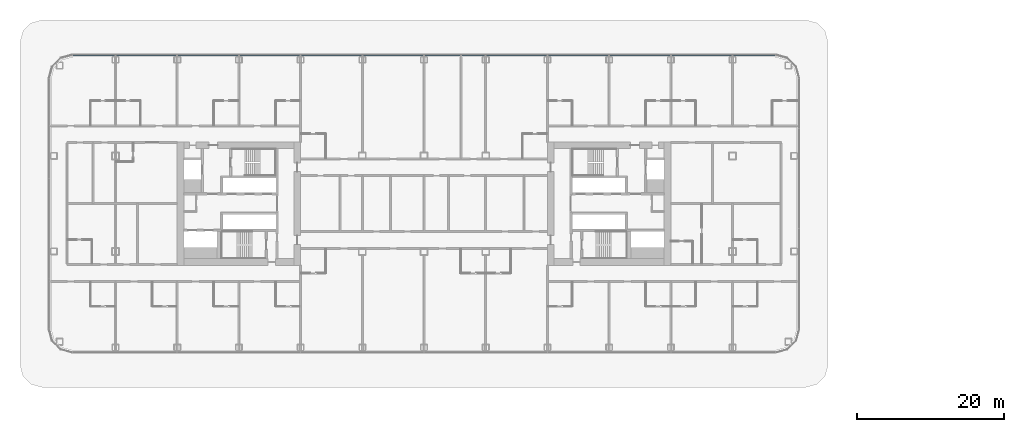
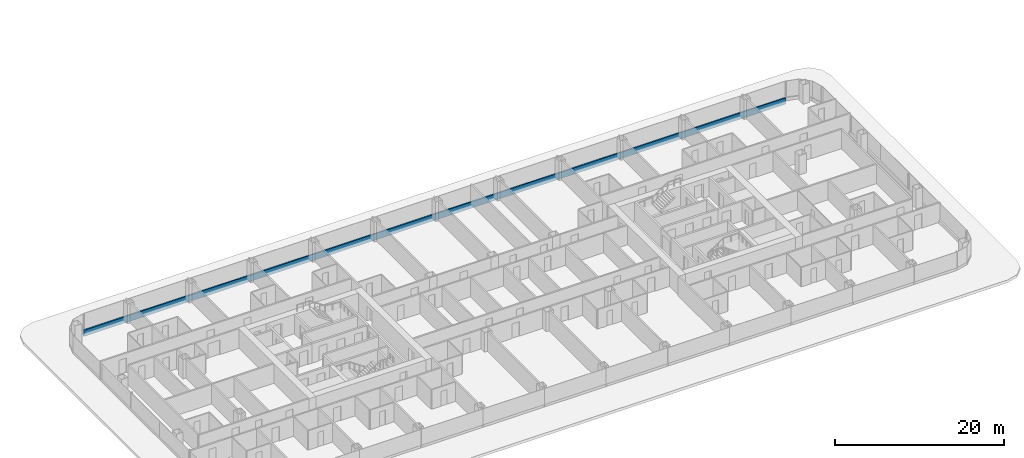
# One storey, part 9 of 42: 1 member, 1 element without a shape of its own.
"""IFC4 building model written with IfcOpenShell, lengths in metres."""

from ifc_helpers import new_model, si_unit, direction, frame, origin, origin_2d, place, context, subcontext, project, spatial, rectangle, extrude, material, layer, layer_set, material_profile, profile_set, type_object, element, aggregate, save


model = new_model("IFC4")

# Units and contexts
model_context = context("Model", 3, precision=1e-05, world=origin(), true_north=direction((0.0, 1.0)))
body_context = subcontext(model_context, "Body", "Model", "MODEL_VIEW")
ifc_project = project(units=[si_unit("LENGTHUNIT", "METRE"), si_unit("AREAUNIT", "SQUARE_METRE"), si_unit("VOLUMEUNIT", "CUBIC_METRE"), si_unit("PLANEANGLEUNIT", "RADIAN"), si_unit("MASSUNIT", "GRAM", prefix="KILO")], contexts=[model_context])

# Site, building, storey
site_placement = place(None, origin())
site = spatial("IfcSite", under=ifc_project, at=site_placement, CompositionType="ELEMENT")
building_placement = place(site_placement, origin())
building = spatial("IfcBuilding", under=site, at=building_placement, Name="Hakoniwa Tower and Hamabe Station Hall", CompositionType="ELEMENT")
storey_placement = place(building_placement, frame((0.0, 0.0, 19.800048828125)))
storey = spatial("IfcBuildingStorey", under=building, at=storey_placement, Name="L04", CompositionType="ELEMENT", Elevation=19.800048828125)

# Curtain wall, member
ifc_material_1 = material(Name="Dark low-e laminated glass", Category="glass")
ifc_layer = layer(ifc_material_1, 0.199951171875)
ifc_layer_set = layer_set([ifc_layer], Name="CW-1 UNITISED GUEST")
curtain_wall_type = type_object("IfcCurtainWallType", Name="CW-1 UNITISED GUEST", PredefinedType="NOTDEFINED", material=ifc_layer_set)
curtain_wall_placement = place(storey_placement, origin())
curtain_wall = element("IfcCurtainWall", 1, at=curtain_wall_placement, inside=storey, type_object=curtain_wall_type, Name="CW-1 curtain wall", PredefinedType="NOTDEFINED")
ifc_material_2 = material(Name="Aluminium 6063-T5 black anodised", Category="aluminium")
ifc_material_profile = material_profile(ifc_material_2, rectangle(XDim=0.199951171875, YDim=0.89990234375, at=origin_2d()), Name="CW SLAB-EDGE BAND 900X200")
ifc_profile_set = profile_set([ifc_material_profile], Name="Aluminium 6063-T5 black anodised")
member_type = type_object("IfcMemberType", Name="CW SLAB-EDGE BAND 900X200", PredefinedType="USERDEFINED", material=ifc_profile_set)
member_placement = place(storey_placement, frame((47.839599609375, 20.199951171875, -0.10009765625), z_axis=(-1.0, 0.0, 0.0), x_axis=(0.0, -1.0, 0.0)))
member = element("IfcMember", 2, at=member_placement, type_object=member_type, Name="CW-1 transom", ObjectType="TRANSOM", PredefinedType="USERDEFINED", context=body_context, shape_type="SweptSolid", body=[
    extrude(rectangle(XDim=0.199951171875, YDim=0.89990234375, at=origin_2d()), origin(), (0.0, 0.0, 1.0), 95.67919921875),
])
aggregate(curtain_wall, [member])

save(model, "model.ifc")
